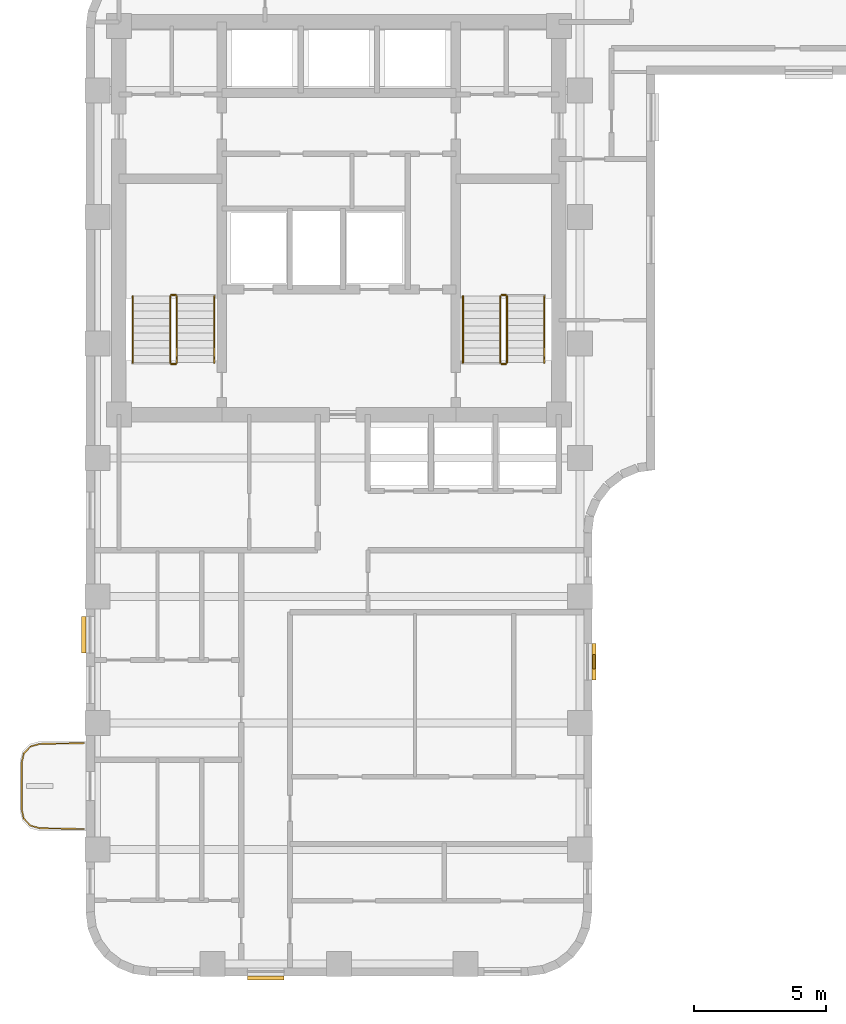
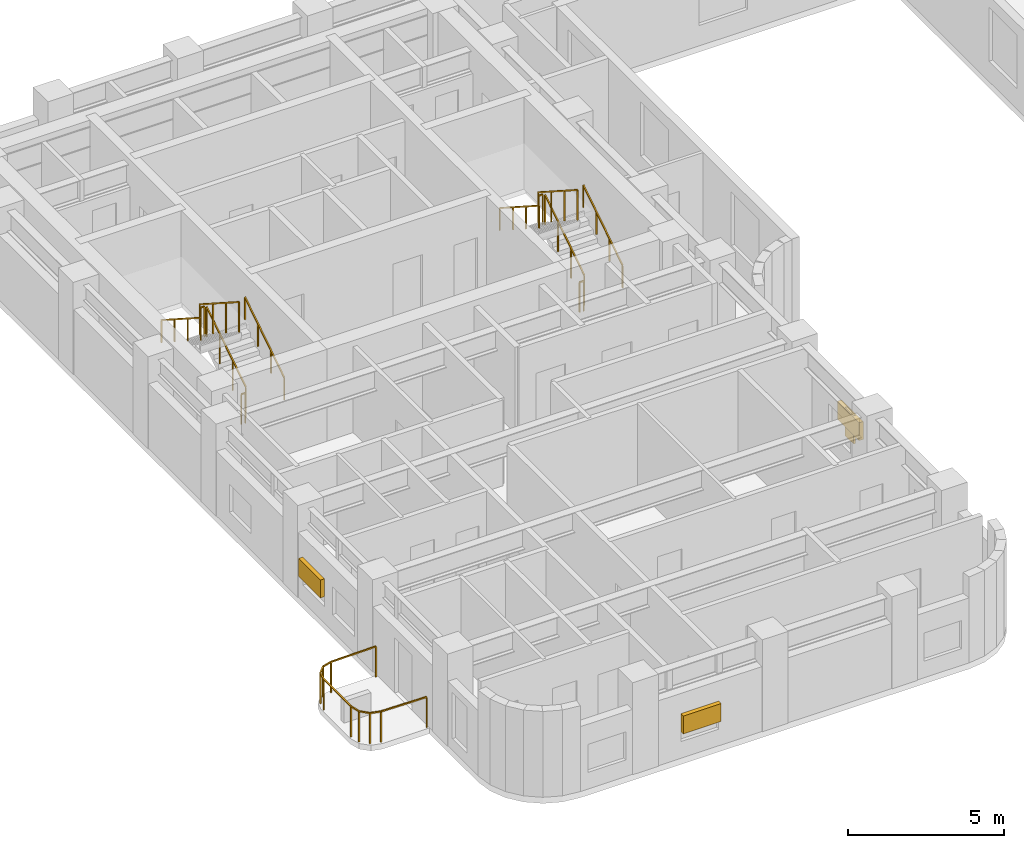
# One storey, part 8 of 10: 13 railings, 4 shading devices.
"""IFC4 building model written with IfcOpenShell, lengths in metres."""

import ifcopenshell
import ifcopenshell.guid

model = None  # the IFC model being written
_history = None  # IfcOwnerHistory: only IFC2X3 demands one
_inside = {}  # id of a spatial element -> (the spatial element, [elements in it])
_under = {}  # id of a project, library or spatial element -> (it, [spatial elements below it])
_declared = {}  # id of a project -> (the project, [libraries it declares])
_typed = {}  # id of a type object -> (the type object, [elements of that type])
_made_of = {}  # id of a material, layer set ... -> (it, [elements and type objects made of it])


def new_model(schema):
    """Start an empty IFC model of exactly this schema.

    Asked for "IFC4X3", IfcOpenShell would pick the latest addendum, in which some entities
    have other attributes; the version numbers below select the first issue.
    IFC2X3 requires an IfcOwnerHistory on every rooted entity: one is made here for all.
    """
    global model, _history
    if schema == "IFC4X3":
        model = ifcopenshell.file(schema_version=(4, 3, 0, 0))
    else:
        model = ifcopenshell.file(schema=schema)
    _inside.clear()
    _under.clear()
    _declared.clear()
    _typed.clear()
    _made_of.clear()
    _history = None
    if model.schema == "IFC2X3":
        org = make("IfcOrganization", Name="unknown")
        user = make(
            "IfcPersonAndOrganization",
            ThePerson=make("IfcPerson", FamilyName="unknown"),
            TheOrganization=org,
        )
        app = make(
            "IfcApplication",
            ApplicationDeveloper=org,
            Version="unknown",
            ApplicationFullName="unknown",
            ApplicationIdentifier="unknown",
        )
        _history = make(
            "IfcOwnerHistory",
            OwningUser=user,
            OwningApplication=app,
            ChangeAction="ADDED",
            CreationDate=0,
        )
    return model


def make(cls, **values):
    """One entity of the class cls with the attributes given. An attribute that is None is left unset."""
    return model.create_entity(
        cls, **{name: value for name, value in values.items() if value is not None}
    )


def rooted(cls, **values):
    """An entity with a GlobalId (a new one), such as an element, a storey or a relation."""
    return make(cls, GlobalId=ifcopenshell.guid.new(), OwnerHistory=_history, **values)


def si_unit(unit_type, name, prefix=None):
    """IfcSIUnit, for example si_unit("LENGTHUNIT", "METRE", prefix="MILLI")."""
    return make("IfcSIUnit", UnitType=unit_type, Prefix=prefix, Name=name)


def assignment(units):
    """IfcUnitAssignment: the units of a project."""
    return None if units is None else make("IfcUnitAssignment", Units=units)


def point(xyz):
    """IfcCartesianPoint."""
    return None if xyz is None else make("IfcCartesianPoint", Coordinates=xyz)


def direction(xyz):
    """IfcDirection."""
    return None if xyz is None else make("IfcDirection", DirectionRatios=xyz)


def frame(location, z_axis=None, x_axis=None):
    """IfcAxis2Placement3D, a coordinate frame: its origin and axes. An axis left out is left unset."""
    return make(
        "IfcAxis2Placement3D",
        Location=point(location),
        Axis=direction(z_axis),
        RefDirection=direction(x_axis),
    )


def frame_2d(location, x_axis=None):
    """IfcAxis2Placement2D, a coordinate frame in the plane: its origin and x axis."""
    return make(
        "IfcAxis2Placement2D", Location=point(location), RefDirection=direction(x_axis)
    )


def origin():
    """The frame at (0, 0, 0) with its axes left unset."""
    return frame((0.0, 0.0, 0.0))


def origin_2d():
    """The frame at (0, 0) in the plane with its x axis left unset."""
    return frame_2d((0.0, 0.0))


def place(relative_to, where):
    """IfcLocalPlacement: puts the frame where relative to a parent placement (None: the world)."""
    return make(
        "IfcLocalPlacement", PlacementRelTo=relative_to, RelativePlacement=where
    )


def context(
    kind, dimensions, precision=None, world=None, true_north=None, identifier=None
):
    """IfcGeometricRepresentationContext, for example the 3D "Model" context."""
    return make(
        "IfcGeometricRepresentationContext",
        ContextIdentifier=identifier,
        ContextType=kind,
        CoordinateSpaceDimension=dimensions,
        Precision=precision,
        WorldCoordinateSystem=world,
        TrueNorth=true_north,
    )


def subcontext(parent, identifier, kind, view, scale=None):
    """IfcGeometricRepresentationSubContext, for example "Body" below "Model"."""
    return make(
        "IfcGeometricRepresentationSubContext",
        ContextIdentifier=identifier,
        ContextType=kind,
        ParentContext=parent,
        TargetScale=scale,
        TargetView=view,
    )


def project(units=None, contexts=None):
    """IfcProject with its units and contexts."""
    return rooted(
        "IfcProject",
        Name="project",
        RepresentationContexts=contexts,
        UnitsInContext=assignment(units),
    )


def spatial(cls, under=None, at=None, **own):
    """A site, building, storey or space (cls), placed at a placement, below another one or the project."""
    s = rooted(cls, ObjectPlacement=at, **own)
    if under is not None:
        _under.setdefault(under.id(), (under, []))[1].append(s)
    return s


def profile(cls, at=None, kind="AREA", **sizes):
    """A parametric profile (cls). Its sizes go by their IFC names, for example OverallWidth=200.0."""
    return make(cls, ProfileType=kind, Position=at, **sizes)


def rectangle(**sizes):
    """IfcRectangleProfileDef."""
    return profile("IfcRectangleProfileDef", **sizes)


def extrude(swept, where, along, depth):
    """IfcExtrudedAreaSolid: the profile swept, set in the frame where, extruded along a direction by depth."""
    return make(
        "IfcExtrudedAreaSolid",
        SweptArea=swept,
        Position=where,
        ExtrudedDirection=direction(along),
        Depth=depth,
    )


def shape(context_of_items, identifier, shape_type, items):
    """IfcShapeRepresentation: the items that make up one representation, for example the "Body"."""
    return make(
        "IfcShapeRepresentation",
        ContextOfItems=context_of_items,
        RepresentationIdentifier=identifier,
        RepresentationType=shape_type,
        Items=items,
    )


def material(Name=None, Category=None):
    """IfcMaterial."""
    return make("IfcMaterial", Name=Name, Category=Category)


def made_of(thing, what):
    """Note that an element or type object is made of a material, layer set ...; save() writes the relation."""
    if what is not None:
        _made_of.setdefault(what.id(), (what, []))[1].append(thing)
    return thing


def type_object(cls, material=None, **own):
    """A type object (cls), such as IfcWallType, which elements share."""
    return made_of(rooted(cls, **own), material)


def element(
    cls,
    number,
    at=None,
    inside=None,
    cuts=None,
    type_object=None,
    material=None,
    context=None,
    identifier="Body",
    shape_type=None,
    held_by="IfcProductDefinitionShape",
    body=None,
    shapes=None,
    **own,
):
    """One element of the class cls, such as IfcWall. Its Tag is "e" and its number.

    at: its placement. inside: the storey or other place that contains it. cuts: it is an
    opening in that element (IfcRelVoidsElement). A single representation is given by context,
    identifier, shape_type and body (its items); several are given by shapes. held_by: the class
    of the entity that holds the representations. save() writes the other relations.
    """
    e = rooted(cls, Tag="e%d" % number, ObjectPlacement=at, **own)
    if body is not None:
        shapes = [shape(context, identifier, shape_type, body)]
    if shapes is not None:
        e.Representation = make(held_by, Representations=shapes)
    if inside is not None:
        _inside.setdefault(inside.id(), (inside, []))[1].append(e)
    if cuts is not None:
        rooted(
            "IfcRelVoidsElement", RelatingBuildingElement=cuts, RelatedOpeningElement=e
        )
    if type_object is not None:
        _typed.setdefault(type_object.id(), (type_object, []))[1].append(e)
    return made_of(e, material)


def aggregate(whole, parts):
    """IfcRelAggregates: a whole, such as a stair, and the parts it consists of."""
    return rooted("IfcRelAggregates", RelatingObject=whole, RelatedObjects=parts)


def save(model, path):
    """Write the relations noted so far, then the file.

    IfcRelAggregates (storeys below a building ...), IfcRelContainedInSpatialStructure (elements
    in a storey), IfcRelDefinesByType, IfcRelAssociatesMaterial and IfcRelDeclares: one each for
    every whole, place, type object, material and project.
    """
    for whole, parts in _under.values():
        aggregate(whole, parts)
    for where, things in _inside.values():
        rooted(
            "IfcRelContainedInSpatialStructure",
            RelatedElements=things,
            RelatingStructure=where,
        )
    for kind, things in _typed.values():
        rooted("IfcRelDefinesByType", RelatedObjects=things, RelatingType=kind)
    for what, things in _made_of.values():
        rooted("IfcRelAssociatesMaterial", RelatedObjects=things, RelatingMaterial=what)
    for by, libraries in _declared.values():
        rooted("IfcRelDeclares", RelatingContext=by, RelatedDefinitions=libraries)
    model.write(path)


model = new_model("IFC4")

# Units and contexts
model_context = context("Model", 3, precision=1e-05, world=origin(), true_north=direction((0.0, 1.0)))
body_context = subcontext(model_context, "Body", "Model", "MODEL_VIEW")
ifc_project = project(units=[si_unit("LENGTHUNIT", "METRE"), si_unit("AREAUNIT", "SQUARE_METRE"), si_unit("VOLUMEUNIT", "CUBIC_METRE"), si_unit("PLANEANGLEUNIT", "RADIAN"), si_unit("MASSUNIT", "GRAM", prefix="KILO")], contexts=[model_context])

# Site, building, storey
site_placement = place(None, origin())
site = spatial("IfcSite", under=ifc_project, at=site_placement, CompositionType="ELEMENT")
building_placement = place(site_placement, origin())
building = spatial("IfcBuilding", under=site, at=building_placement, Name="Orvandelia Arch Residences", CompositionType="ELEMENT")
storey_placement = place(building_placement, frame((0.0, 0.0, 182.800048828125)))
storey = spatial("IfcBuildingStorey", under=building, at=storey_placement, Name="L48", CompositionType="ELEMENT", Elevation=182.800048828125)

# Railings
ifc_material_1 = material(Name="Marine-Grade Stainless Steel 316", Category="steel")
railing_type_1 = type_object("IfcRailingType", Name="GRD-BAL-1200", PredefinedType="BALUSTRADE", material=ifc_material_1)
railing_1_placement = place(storey_placement, frame((4.728271484375, 18.430419921875, 0.0)))
element("IfcRailing", 1, at=railing_1_placement, inside=storey, type_object=railing_type_1, Name="Safety Balustrade Guard GRD-L48-BAL-L48-W1-1", PredefinedType="BALUSTRADE", context=body_context, shape_type="SweptSolid", body=[
    extrude(rectangle(XDim=0.048095703125, YDim=0.048095703125, at=origin_2d()), frame((0.0, 0.0, 1.19580078125), z_axis=(-0.999834751713, -0.018178813668, 0.0), x_axis=(0.018178813668, -0.999834751713, 0.0)), (0.0, 0.0, 1.0), 1.6787109375),
    extrude(rectangle(XDim=0.048095703125, YDim=0.048095703125, at=origin_2d()), frame((-1.678466796875, -0.030517578125, 1.19580078125), z_axis=(-0.96348920644, -0.267747173792, 0.0), x_axis=(0.267747173792, -0.96348920644, 0.0)), (0.0, 0.0, 1.0), 0.36572265625),
    extrude(rectangle(XDim=0.048095703125, YDim=0.048095703125, at=origin_2d()), frame((-2.03076171875, -0.12841796875, 1.19580078125), z_axis=(-0.688627404251, -0.725115368831, 0.0), x_axis=(0.725115368831, -0.688627404251, 0.0)), (0.0, 0.0, 1.0), 0.367919921875),
    extrude(rectangle(XDim=0.048095703125, YDim=0.048095703125, at=origin_2d()), frame((-2.2841796875, -0.395263671875, 1.19580078125), z_axis=(-0.220602419982, -0.975363815352, 0.0), x_axis=(0.975363815352, -0.220602419982, 0.0)), (0.0, 0.0, 1.0), 0.373046875),
    extrude(rectangle(XDim=0.048095703125, YDim=0.048095703125, at=origin_2d()), frame((-2.366455078125, -0.759033203125, 1.19580078125), z_axis=(0.0, -1.0, 0.0), x_axis=(1.0, 0.0, 0.0)), (0.0, 0.0, 1.0), 1.74267578125),
    extrude(rectangle(XDim=0.048095703125, YDim=0.048095703125, at=origin_2d()), frame((-2.366455078125, -2.501708984375, 1.19580078125), z_axis=(0.220602419982, -0.975363815352, 0.0), x_axis=(0.975363815352, 0.220602419982, 0.0)), (0.0, 0.0, 1.0), 0.373046875),
    extrude(rectangle(XDim=0.048095703125, YDim=0.048095703125, at=origin_2d()), frame((-2.2841796875, -2.865478515625, 1.19580078125), z_axis=(0.688296224633, -0.725429739642, 0.0), x_axis=(0.725429739642, 0.688296224633, 0.0)), (0.0, 0.0, 1.0), 0.3681640625),
    extrude(rectangle(XDim=0.048095703125, YDim=0.048095703125, at=origin_2d()), frame((-2.03076171875, -3.132568359375, 1.19580078125), z_axis=(0.96348920644, -0.267747173792, 0.0), x_axis=(0.267747173792, 0.96348920644, 0.0)), (0.0, 0.0, 1.0), 0.36572265625),
    extrude(rectangle(XDim=0.048095703125, YDim=0.048095703125, at=origin_2d()), frame((-1.678466796875, -3.23046875, 1.19580078125), z_axis=(0.999837384468, -0.018033430643, 0.0), x_axis=(0.018033430643, 0.999837384468, 0.0)), (0.0, 0.0, 1.0), 1.6787109375),
    extrude(rectangle(XDim=0.0419921875, YDim=0.0419921875, at=origin_2d()), origin(), (0.0, 0.0, 1.0), 1.171875),
    extrude(rectangle(XDim=0.0419921875, YDim=0.0419921875, at=origin_2d()), frame((-1.678466796875, -0.030517578125, 0.0)), (0.0, 0.0, 1.0), 1.171875),
    extrude(rectangle(XDim=0.0419921875, YDim=0.0419921875, at=origin_2d()), frame((-2.03076171875, -0.12841796875, 0.0)), (0.0, 0.0, 1.0), 1.171875),
    extrude(rectangle(XDim=0.0419921875, YDim=0.0419921875, at=origin_2d()), frame((-2.2841796875, -0.395263671875, 0.0)), (0.0, 0.0, 1.0), 1.171875),
    extrude(rectangle(XDim=0.0419921875, YDim=0.0419921875, at=origin_2d()), frame((-2.366455078125, -0.759033203125, 0.0)), (0.0, 0.0, 1.0), 1.171875),
    extrude(rectangle(XDim=0.0419921875, YDim=0.0419921875, at=origin_2d()), frame((-2.366455078125, -2.501708984375, 0.0)), (0.0, 0.0, 1.0), 1.171875),
    extrude(rectangle(XDim=0.0419921875, YDim=0.0419921875, at=origin_2d()), frame((-2.2841796875, -2.865478515625, 0.0)), (0.0, 0.0, 1.0), 1.171875),
    extrude(rectangle(XDim=0.0419921875, YDim=0.0419921875, at=origin_2d()), frame((-2.03076171875, -3.132568359375, 0.0)), (0.0, 0.0, 1.0), 1.171875),
    extrude(rectangle(XDim=0.0419921875, YDim=0.0419921875, at=origin_2d()), frame((-1.678466796875, -3.23046875, 0.0)), (0.0, 0.0, 1.0), 1.171875),
    extrude(rectangle(XDim=0.0419921875, YDim=0.0419921875, at=origin_2d()), frame((0.0, -3.2607421875, 0.0)), (0.0, 0.0, 1.0), 1.171875),
])
ifc_material_2 = material(Name="Brushed Stainless Steel 304", Category="steel")
railing_type_2 = type_object("IfcRailingType", Name="RL-STAIR-GD1120", PredefinedType="GUARDRAIL", material=ifc_material_2)
railing_2_placement = place(storey_placement, frame((8.25, 32.8701171875, 0.179931640625)))
element("IfcRailing", 2, at=railing_2_placement, inside=storey, type_object=railing_type_2, Name="L48 ST-1 stair guard 1", PredefinedType="GUARDRAIL", context=body_context, shape_type="SweptSolid", body=[
    extrude(rectangle(XDim=0.048095703125, YDim=0.048095703125, at=origin_2d()), frame((0.0, 0.0, 1.17578125), z_axis=(0.0, 0.841138753965, 0.540819375188), x_axis=(-1.0, 0.0, 0.0)), (0.0, 0.0, 1.0), 2.99560546875),
    extrude(rectangle(XDim=0.0419921875, YDim=0.0419921875, at=origin_2d()), origin(), (0.0, 0.0, 1.0), 1.15185546875),
    extrude(rectangle(XDim=0.0419921875, YDim=0.0419921875, at=origin_2d()), frame((0.0, 0.83984375, 0.5400390625)), (0.0, 0.0, 1.0), 1.15185546875),
    extrude(rectangle(XDim=0.0419921875, YDim=0.0419921875, at=origin_2d()), frame((0.0, 1.679931640625, 1.080078125)), (0.0, 0.0, 1.0), 1.15185546875),
    extrude(rectangle(XDim=0.0419921875, YDim=0.0419921875, at=origin_2d()), frame((0.0, 2.519775390625, 1.6201171875)), (0.0, 0.0, 1.0), 1.15185546875),
])
railing_3_placement = place(storey_placement, frame((8.199951171875, 35.43994140625, 1.800048828125)))
element("IfcRailing", 3, at=railing_3_placement, inside=storey, type_object=railing_type_2, Name="L48 ST-1 stair guard 2", PredefinedType="GUARDRAIL", context=body_context, shape_type="SweptSolid", body=[
    extrude(rectangle(XDim=0.048095703125, YDim=0.048095703125, at=origin_2d()), frame((0.0, 0.0, 1.17578125), z_axis=(-1.0, 0.0, 0.0), x_axis=(0.0, -1.0, 0.0)), (0.0, 0.0, 1.0), 0.14990234375),
    extrude(rectangle(XDim=0.0419921875, YDim=0.0419921875, at=origin_2d()), origin(), (0.0, 0.0, 1.0), 1.15185546875),
    extrude(rectangle(XDim=0.0419921875, YDim=0.0419921875, at=origin_2d()), frame((-0.14990234375, 0.0, 0.0)), (0.0, 0.0, 1.0), 1.15185546875),
])
railing_4_placement = place(storey_placement, frame((8.0, 35.389892578125, 1.97998046875)))
element("IfcRailing", 4, at=railing_4_placement, inside=storey, type_object=railing_type_2, Name="L48 ST-1 stair guard 3", PredefinedType="GUARDRAIL", context=body_context, shape_type="SweptSolid", body=[
    extrude(rectangle(XDim=0.048095703125, YDim=0.048095703125, at=origin_2d()), frame((0.0, 0.0, 1.17578125), z_axis=(0.0, -0.841175827307, 0.540761710511), x_axis=(1.0, 0.0, 0.0)), (0.0, 0.0, 1.0), 2.99560546875),
    extrude(rectangle(XDim=0.0419921875, YDim=0.0419921875, at=origin_2d()), origin(), (0.0, 0.0, 1.0), 1.15185546875),
    extrude(rectangle(XDim=0.0419921875, YDim=0.0419921875, at=origin_2d()), frame((0.0, -0.83984375, 0.5400390625)), (0.0, 0.0, 1.0), 1.15185546875),
    extrude(rectangle(XDim=0.0419921875, YDim=0.0419921875, at=origin_2d()), frame((0.0, -1.679931640625, 1.079833984375)), (0.0, 0.0, 1.0), 1.15185546875),
    extrude(rectangle(XDim=0.0419921875, YDim=0.0419921875, at=origin_2d()), frame((0.0, -2.519775390625, 1.619873046875)), (0.0, 0.0, 1.0), 1.15185546875),
])
railing_5_placement = place(storey_placement, frame((8.199951171875, 32.820068359375, 0.0)))
element("IfcRailing", 5, at=railing_5_placement, inside=storey, type_object=railing_type_2, Name="L48 ST-1 stair guard 4", PredefinedType="GUARDRAIL", context=body_context, shape_type="SweptSolid", body=[
    extrude(rectangle(XDim=0.048095703125, YDim=0.048095703125, at=origin_2d()), frame((0.0, 0.0, 1.17578125), z_axis=(-1.0, 0.0, 0.0), x_axis=(0.0, -1.0, 0.0)), (0.0, 0.0, 1.0), 0.14990234375),
    extrude(rectangle(XDim=0.0419921875, YDim=0.0419921875, at=origin_2d()), origin(), (0.0, 0.0, 1.0), 1.15185546875),
    extrude(rectangle(XDim=0.0419921875, YDim=0.0419921875, at=origin_2d()), frame((-0.14990234375, 0.0, 0.0)), (0.0, 0.0, 1.0), 1.15185546875),
])
railing_6_placement = place(storey_placement, frame((20.780029296875, 32.8701171875, 0.179931640625)))
element("IfcRailing", 6, at=railing_6_placement, inside=storey, type_object=railing_type_2, Name="L48 ST-2 stair guard 1", PredefinedType="GUARDRAIL", context=body_context, shape_type="SweptSolid", body=[
    extrude(rectangle(XDim=0.048095703125, YDim=0.048095703125, at=origin_2d()), frame((0.0, 0.0, 1.17578125), z_axis=(0.0, 0.841138753965, 0.540819375188), x_axis=(-1.0, 0.0, 0.0)), (0.0, 0.0, 1.0), 2.99560546875),
    extrude(rectangle(XDim=0.0419921875, YDim=0.0419921875, at=origin_2d()), origin(), (0.0, 0.0, 1.0), 1.15185546875),
    extrude(rectangle(XDim=0.0419921875, YDim=0.0419921875, at=origin_2d()), frame((0.0, 0.83984375, 0.5400390625)), (0.0, 0.0, 1.0), 1.15185546875),
    extrude(rectangle(XDim=0.0419921875, YDim=0.0419921875, at=origin_2d()), frame((0.0, 1.679931640625, 1.080078125)), (0.0, 0.0, 1.0), 1.15185546875),
    extrude(rectangle(XDim=0.0419921875, YDim=0.0419921875, at=origin_2d()), frame((0.0, 2.519775390625, 1.6201171875)), (0.0, 0.0, 1.0), 1.15185546875),
])
railing_7_placement = place(storey_placement, frame((20.72998046875, 35.43994140625, 1.800048828125)))
element("IfcRailing", 7, at=railing_7_placement, inside=storey, type_object=railing_type_2, Name="L48 ST-2 stair guard 2", PredefinedType="GUARDRAIL", context=body_context, shape_type="SweptSolid", body=[
    extrude(rectangle(XDim=0.048095703125, YDim=0.048095703125, at=origin_2d()), frame((0.0, 0.0, 1.17578125), z_axis=(-1.0, 0.0, 0.0), x_axis=(0.0, -1.0, 0.0)), (0.0, 0.0, 1.0), 0.14990234375),
    extrude(rectangle(XDim=0.0419921875, YDim=0.0419921875, at=origin_2d()), origin(), (0.0, 0.0, 1.0), 1.15185546875),
    extrude(rectangle(XDim=0.0419921875, YDim=0.0419921875, at=origin_2d()), frame((-0.14990234375, 0.0, 0.0)), (0.0, 0.0, 1.0), 1.15185546875),
])
railing_8_placement = place(storey_placement, frame((20.530029296875, 35.389892578125, 1.97998046875)))
element("IfcRailing", 8, at=railing_8_placement, inside=storey, type_object=railing_type_2, Name="L48 ST-2 stair guard 3", PredefinedType="GUARDRAIL", context=body_context, shape_type="SweptSolid", body=[
    extrude(rectangle(XDim=0.048095703125, YDim=0.048095703125, at=origin_2d()), frame((0.0, 0.0, 1.17578125), z_axis=(0.0, -0.841175827307, 0.540761710511), x_axis=(1.0, 0.0, 0.0)), (0.0, 0.0, 1.0), 2.99560546875),
    extrude(rectangle(XDim=0.0419921875, YDim=0.0419921875, at=origin_2d()), origin(), (0.0, 0.0, 1.0), 1.15185546875),
    extrude(rectangle(XDim=0.0419921875, YDim=0.0419921875, at=origin_2d()), frame((0.0, -0.83984375, 0.5400390625)), (0.0, 0.0, 1.0), 1.15185546875),
    extrude(rectangle(XDim=0.0419921875, YDim=0.0419921875, at=origin_2d()), frame((0.0, -1.679931640625, 1.079833984375)), (0.0, 0.0, 1.0), 1.15185546875),
    extrude(rectangle(XDim=0.0419921875, YDim=0.0419921875, at=origin_2d()), frame((0.0, -2.519775390625, 1.619873046875)), (0.0, 0.0, 1.0), 1.15185546875),
])
railing_9_placement = place(storey_placement, frame((20.72998046875, 32.820068359375, 0.0)))
element("IfcRailing", 9, at=railing_9_placement, inside=storey, type_object=railing_type_2, Name="L48 ST-2 stair guard 4", PredefinedType="GUARDRAIL", context=body_context, shape_type="SweptSolid", body=[
    extrude(rectangle(XDim=0.048095703125, YDim=0.048095703125, at=origin_2d()), frame((0.0, 0.0, 1.17578125), z_axis=(-1.0, 0.0, 0.0), x_axis=(0.0, -1.0, 0.0)), (0.0, 0.0, 1.0), 0.14990234375),
    extrude(rectangle(XDim=0.0419921875, YDim=0.0419921875, at=origin_2d()), origin(), (0.0, 0.0, 1.0), 1.15185546875),
    extrude(rectangle(XDim=0.0419921875, YDim=0.0419921875, at=origin_2d()), frame((-0.14990234375, 0.0, 0.0)), (0.0, 0.0, 1.0), 1.15185546875),
])
railing_type_3 = type_object("IfcRailingType", Name="RL-STAIR-HR920", PredefinedType="HANDRAIL", material=ifc_material_2)
railing_10_placement = place(storey_placement, frame((9.669921875, 32.8701171875, 0.35986328125)))
element("IfcRailing", 10, at=railing_10_placement, inside=storey, type_object=railing_type_3, Name="L48 ST-1 stair handrail 1", PredefinedType="HANDRAIL", context=body_context, shape_type="SweptSolid", body=[
    extrude(rectangle(XDim=0.048095703125, YDim=0.048095703125, at=origin_2d()), frame((0.0, 0.0, 0.8759765625), z_axis=(0.0, 0.841138753965, 0.540819375188), x_axis=(-1.0, 0.0, 0.0)), (0.0, 0.0, 1.0), 2.99560546875),
    extrude(rectangle(XDim=0.0419921875, YDim=0.0419921875, at=origin_2d()), origin(), (0.0, 0.0, 1.0), 0.851806640625),
    extrude(rectangle(XDim=0.0419921875, YDim=0.0419921875, at=origin_2d()), frame((0.0, 0.83984375, 0.5400390625)), (0.0, 0.0, 1.0), 0.851806640625),
    extrude(rectangle(XDim=0.0419921875, YDim=0.0419921875, at=origin_2d()), frame((0.0, 1.679931640625, 1.080078125)), (0.0, 0.0, 1.0), 0.851806640625),
    extrude(rectangle(XDim=0.0419921875, YDim=0.0419921875, at=origin_2d()), frame((0.0, 2.519775390625, 1.6201171875)), (0.0, 0.0, 1.0), 0.851806640625),
])
railing_11_placement = place(storey_placement, frame((6.580078125, 35.389892578125, 2.159912109375)))
element("IfcRailing", 11, at=railing_11_placement, inside=storey, type_object=railing_type_3, Name="L48 ST-1 stair handrail 2", PredefinedType="HANDRAIL", context=body_context, shape_type="SweptSolid", body=[
    extrude(rectangle(XDim=0.048095703125, YDim=0.048095703125, at=origin_2d()), frame((0.0, 0.0, 0.8759765625), z_axis=(0.0, -0.841138753965, 0.540819375188), x_axis=(1.0, 0.0, 0.0)), (0.0, 0.0, 1.0), 2.99560546875),
    extrude(rectangle(XDim=0.0419921875, YDim=0.0419921875, at=origin_2d()), origin(), (0.0, 0.0, 1.0), 0.851806640625),
    extrude(rectangle(XDim=0.0419921875, YDim=0.0419921875, at=origin_2d()), frame((0.0, -0.83984375, 0.5400390625)), (0.0, 0.0, 1.0), 0.851806640625),
    extrude(rectangle(XDim=0.0419921875, YDim=0.0419921875, at=origin_2d()), frame((0.0, -1.679931640625, 1.080078125)), (0.0, 0.0, 1.0), 0.851806640625),
    extrude(rectangle(XDim=0.0419921875, YDim=0.0419921875, at=origin_2d()), frame((0.0, -2.519775390625, 1.6201171875)), (0.0, 0.0, 1.0), 0.851806640625),
])
railing_12_placement = place(storey_placement, frame((22.199951171875, 32.8701171875, 0.35986328125)))
element("IfcRailing", 12, at=railing_12_placement, inside=storey, type_object=railing_type_3, Name="L48 ST-2 stair handrail 1", PredefinedType="HANDRAIL", context=body_context, shape_type="SweptSolid", body=[
    extrude(rectangle(XDim=0.048095703125, YDim=0.048095703125, at=origin_2d()), frame((0.0, 0.0, 0.8759765625), z_axis=(0.0, 0.841138753965, 0.540819375188), x_axis=(-1.0, 0.0, 0.0)), (0.0, 0.0, 1.0), 2.99560546875),
    extrude(rectangle(XDim=0.0419921875, YDim=0.0419921875, at=origin_2d()), origin(), (0.0, 0.0, 1.0), 0.851806640625),
    extrude(rectangle(XDim=0.0419921875, YDim=0.0419921875, at=origin_2d()), frame((0.0, 0.83984375, 0.5400390625)), (0.0, 0.0, 1.0), 0.851806640625),
    extrude(rectangle(XDim=0.0419921875, YDim=0.0419921875, at=origin_2d()), frame((0.0, 1.679931640625, 1.080078125)), (0.0, 0.0, 1.0), 0.851806640625),
    extrude(rectangle(XDim=0.0419921875, YDim=0.0419921875, at=origin_2d()), frame((0.0, 2.519775390625, 1.6201171875)), (0.0, 0.0, 1.0), 0.851806640625),
])
railing_13_placement = place(storey_placement, frame((19.110107421875, 35.389892578125, 2.159912109375)))
element("IfcRailing", 13, at=railing_13_placement, inside=storey, type_object=railing_type_3, Name="L48 ST-2 stair handrail 2", PredefinedType="HANDRAIL", context=body_context, shape_type="SweptSolid", body=[
    extrude(rectangle(XDim=0.048095703125, YDim=0.048095703125, at=origin_2d()), frame((0.0, 0.0, 0.8759765625), z_axis=(0.0, -0.841138753965, 0.540819375188), x_axis=(1.0, 0.0, 0.0)), (0.0, 0.0, 1.0), 2.99560546875),
    extrude(rectangle(XDim=0.0419921875, YDim=0.0419921875, at=origin_2d()), origin(), (0.0, 0.0, 1.0), 0.851806640625),
    extrude(rectangle(XDim=0.0419921875, YDim=0.0419921875, at=origin_2d()), frame((0.0, -0.83984375, 0.5400390625)), (0.0, 0.0, 1.0), 0.851806640625),
    extrude(rectangle(XDim=0.0419921875, YDim=0.0419921875, at=origin_2d()), frame((0.0, -1.679931640625, 1.080078125)), (0.0, 0.0, 1.0), 0.851806640625),
    extrude(rectangle(XDim=0.0419921875, YDim=0.0419921875, at=origin_2d()), frame((0.0, -2.519775390625, 1.6201171875)), (0.0, 0.0, 1.0), 0.851806640625),
])

# Shading devices
ifc_material_3 = material(Name="Anodised Champagne-Bronze Extruded Aluminium", Category="aluminium")
shading_device_type_1 = type_object("IfcShadingDeviceType", Name="SHD-JALOUSIE-SCREEN", PredefinedType="JALOUSIE", material=ifc_material_3)
for number, where, z_axis, x_axis, name in (
    (14, (24.080078125, 21.517578125, 1.0498046875), (0.0, 0.0, 1.0), (0.0, -1.0, 0.0), "Bronze Jalousie Sun-Shade L48-006"),
    (15, (11.625, 9.52001953125, 1.0498046875), (0.0, 0.0, 1.0), (-1.0, 0.0, 0.0), "Bronze Jalousie Sun-Shade L48-007"),
    (16, (4.719970703125, 22.54443359375, 1.0498046875), (0.0, 0.0, 1.0), (0.0, 1.0, 0.0), "Bronze Jalousie Sun-Shade L48-008"),
):
    element("IfcShadingDevice", number, at=place(storey_placement, frame(where, z_axis=z_axis, x_axis=x_axis)), inside=storey, type_object=shading_device_type_1, Name=name, PredefinedType="JALOUSIE", context=body_context, shape_type="SweptSolid", body=[
        extrude(rectangle(XDim=1.39990234375, YDim=0.159912109375, at=origin_2d()), origin(), (0.0, 0.0, 1.0), 0.699951171875),
    ])
ifc_material_4 = material(Name="Marine-Grade Perforated Aluminium Storm Shutter", Category="aluminium")
shading_device_type_2 = type_object("IfcShadingDeviceType", Name="SHD-STORM-SHUTTER", PredefinedType="SHUTTER", material=ifc_material_4)
shading_device_placement = place(storey_placement, frame((24.080078125, 21.517578125, 0.64990234375), z_axis=(0.0, 0.0, 1.0), x_axis=(0.0, -1.0, 0.0)))
element("IfcShadingDevice", 17, at=shading_device_placement, inside=storey, type_object=shading_device_type_2, Name="Operable Typhoon Storm Shutter L48-006", PredefinedType="SHUTTER", context=body_context, shape_type="SweptSolid", body=[
    extrude(rectangle(XDim=0.550048828125, YDim=0.080078125, at=origin_2d()), origin(), (0.0, 0.0, 1.0), 1.10009765625),
])

save(model, "model.ifc")
